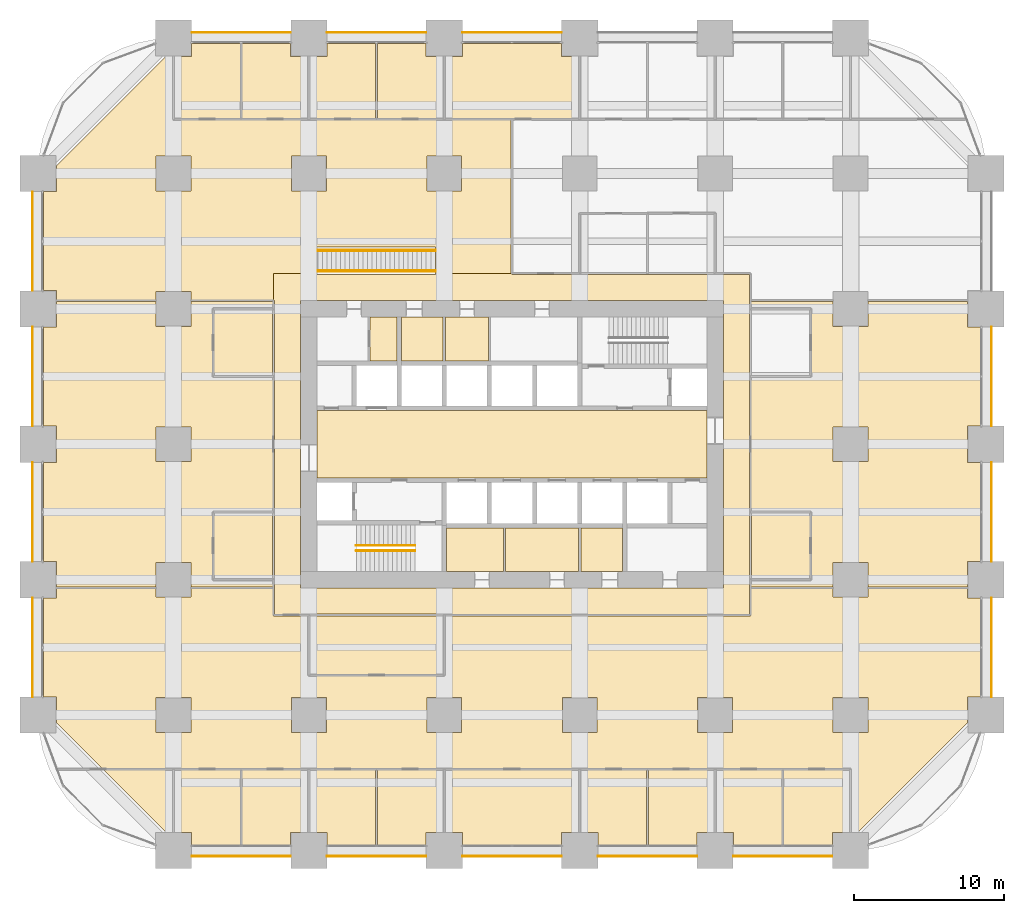
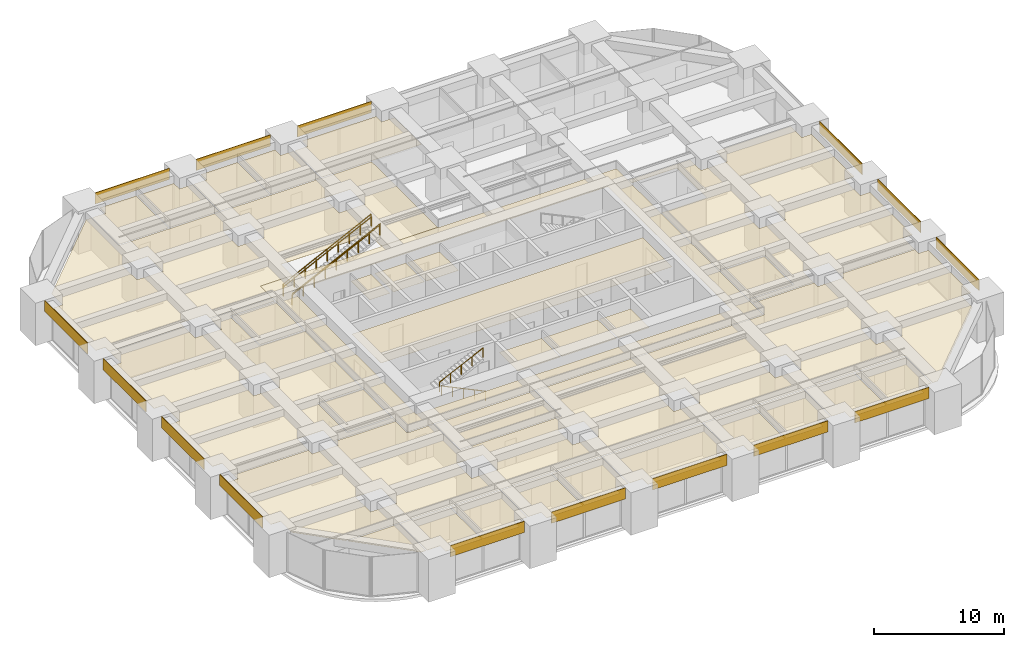
# One storey, part 44 of 45: 46 coverings, 6 railings.
"""IFC4 building model written with IfcOpenShell, lengths in metres."""

from ifc_helpers import new_model, si_unit, direction, frame, frame_2d, origin, origin_2d, place, context, subcontext, project, spatial, polyline, rectangle, circle, outline, extrude, material, layer, layer_set, type_object, element, save


model = new_model("IFC4")

# Units and contexts
model_context = context("Model", 3, precision=1e-05, world=origin(), true_north=direction((0.0, 1.0)))
body_context = subcontext(model_context, "Body", "Model", "MODEL_VIEW")
ifc_project = project(units=[si_unit("LENGTHUNIT", "METRE"), si_unit("AREAUNIT", "SQUARE_METRE"), si_unit("VOLUMEUNIT", "CUBIC_METRE"), si_unit("PLANEANGLEUNIT", "RADIAN"), si_unit("MASSUNIT", "GRAM", prefix="KILO")], contexts=[model_context])

# Site, building, storey
site_placement = place(None, origin())
site = spatial("IfcSite", under=ifc_project, at=site_placement, CompositionType="ELEMENT")
building_placement = place(site_placement, origin())
building = spatial("IfcBuilding", under=site, at=building_placement, Name="Zorevar Civic Tower", CompositionType="ELEMENT")
storey_placement = place(building_placement, frame((0.0, 0.0, 39.800048828125)))
storey = spatial("IfcBuildingStorey", under=building, at=storey_placement, Name="L09", CompositionType="ELEMENT", Elevation=39.800048828125)

# Railings
ifc_material_1 = material(Name="Laminated glass balustrade with black steel handrail", Category="steel")
railing_type_1 = type_object("IfcRailingType", Name="Balustrade BL1 1100", PredefinedType="BALUSTRADE", material=ifc_material_1)
for number, where, name in (
    (1, (18.60009765625, 38.47998046875, 0.148193359375), "Balustrade BL1 interconnecting stair L09"),
    (2, (18.60009765625, 39.919921875, 0.148193359375), "Balustrade BL1 interconnecting stair L09"),
):
    element("IfcRailing", number, at=place(storey_placement, frame(where)), inside=storey, type_object=railing_type_1, Name=name, PredefinedType="BALUSTRADE", context=body_context, shape_type="SweptSolid", body=[
        extrude(circle(Radius=0.02392578125, at=origin_2d()), frame((0.0, 0.0, 1.076171875), z_axis=(0.896627794226, 0.0, 0.442785047875), x_axis=(0.0, 1.0, 0.0)), (0.0, 0.0, 1.0), 8.698974609375),
        extrude(circle(Radius=0.02099609375, at=origin_2d()), origin(), (0.0, 0.0, 1.0), 1.052001953125),
        extrude(circle(Radius=0.02099609375, at=origin_2d()), frame((0.97509765625, 0.0, 0.4814453125)), (0.0, 0.0, 1.0), 1.052001953125),
        extrude(circle(Radius=0.02099609375, at=origin_2d()), frame((1.949951171875, 0.0, 0.962890625)), (0.0, 0.0, 1.0), 1.052001953125),
        extrude(circle(Radius=0.02099609375, at=origin_2d()), frame((2.9248046875, 0.0, 1.4443359375)), (0.0, 0.0, 1.0), 1.052001953125),
        extrude(circle(Radius=0.02099609375, at=origin_2d()), frame((3.89990234375, 0.0, 1.92578125)), (0.0, 0.0, 1.0), 1.052001953125),
        extrude(circle(Radius=0.02099609375, at=origin_2d()), frame((4.875, 0.0, 2.407470703125)), (0.0, 0.0, 1.0), 1.052001953125),
        extrude(circle(Radius=0.02099609375, at=origin_2d()), frame((5.849853515625, 0.0, 2.888916015625)), (0.0, 0.0, 1.0), 1.052001953125),
        extrude(circle(Radius=0.02099609375, at=origin_2d()), frame((6.82470703125, 0.0, 3.370361328125)), (0.0, 0.0, 1.0), 1.052001953125),
        extrude(circle(Radius=0.02099609375, at=origin_2d()), frame((7.7998046875, 0.0, 3.851806640625)), (0.0, 0.0, 1.0), 1.052001953125),
    ])
ifc_material_2 = material(Name="Black steel handrail", Category="steel")
railing_type_2 = type_object("IfcRailingType", Name="Handrail HR1 900", PredefinedType="HANDRAIL", material=ifc_material_2)
railing_1_placement = place(storey_placement, frame((25.050048828125, 19.925048828125, 0.142822265625)))
element("IfcRailing", 3, at=railing_1_placement, inside=storey, type_object=railing_type_2, Name="Handrail HR1 ST1 L09", PredefinedType="HANDRAIL", context=body_context, shape_type="SweptSolid", body=[
    extrude(circle(Radius=0.02392578125, at=origin_2d()), frame((0.0, 0.0, 0.8759765625), z_axis=(-0.902863652845, 0.0, 0.429926998885), x_axis=(0.0, -1.0, 0.0)), (0.0, 0.0, 1.0), 4.31982421875),
    extrude(circle(Radius=0.02099609375, at=origin_2d()), origin(), (0.0, 0.0, 1.0), 0.851806640625),
    extrude(circle(Radius=0.02099609375, at=origin_2d()), frame((-0.97509765625, 0.0, 0.46435546875)), (0.0, 0.0, 1.0), 0.851806640625),
    extrude(circle(Radius=0.02099609375, at=origin_2d()), frame((-1.9501953125, 0.0, 0.9287109375)), (0.0, 0.0, 1.0), 0.851806640625),
    extrude(circle(Radius=0.02099609375, at=origin_2d()), frame((-2.925048828125, 0.0, 1.392822265625)), (0.0, 0.0, 1.0), 0.851806640625),
    extrude(circle(Radius=0.02099609375, at=origin_2d()), frame((-3.900146484375, 0.0, 1.857177734375)), (0.0, 0.0, 1.0), 0.851806640625),
])
railing_2_placement = place(storey_placement, frame((21.14990234375, 20.27490234375, 2.142822265625)))
element("IfcRailing", 4, at=railing_2_placement, inside=storey, type_object=railing_type_2, Name="Handrail HR1 ST1 L09", PredefinedType="HANDRAIL", context=body_context, shape_type="SweptSolid", body=[
    extrude(circle(Radius=0.02392578125, at=origin_2d()), frame((0.0, 0.0, 0.8759765625), z_axis=(0.902863652845, 0.0, 0.429926998885), x_axis=(0.0, 1.0, 0.0)), (0.0, 0.0, 1.0), 4.31982421875),
    extrude(circle(Radius=0.02099609375, at=origin_2d()), origin(), (0.0, 0.0, 1.0), 0.851806640625),
    extrude(circle(Radius=0.02099609375, at=origin_2d()), frame((0.97509765625, 0.0, 0.46435546875)), (0.0, 0.0, 1.0), 0.851806640625),
    extrude(circle(Radius=0.02099609375, at=origin_2d()), frame((1.9501953125, 0.0, 0.9287109375)), (0.0, 0.0, 1.0), 0.851806640625),
    extrude(circle(Radius=0.02099609375, at=origin_2d()), frame((2.925048828125, 0.0, 1.392822265625)), (0.0, 0.0, 1.0), 0.851806640625),
    extrude(circle(Radius=0.02099609375, at=origin_2d()), frame((3.900146484375, 0.0, 1.857177734375)), (0.0, 0.0, 1.0), 0.851806640625),
])
for number, where, name in (
    (5, (18.60009765625, 38.550048828125, 0.148193359375), "Handrail HR1 interconnecting stair L09"),
    (6, (18.60009765625, 39.85009765625, 0.148193359375), "Handrail HR1 interconnecting stair L09"),
):
    element("IfcRailing", number, at=place(storey_placement, frame(where)), inside=storey, type_object=railing_type_2, Name=name, PredefinedType="HANDRAIL", context=body_context, shape_type="SweptSolid", body=[
        extrude(circle(Radius=0.02392578125, at=origin_2d()), frame((0.0, 0.0, 0.8759765625), z_axis=(0.896627794226, 0.0, 0.442785047875), x_axis=(0.0, 1.0, 0.0)), (0.0, 0.0, 1.0), 8.698974609375),
        extrude(circle(Radius=0.02099609375, at=origin_2d()), origin(), (0.0, 0.0, 1.0), 0.851806640625),
        extrude(circle(Radius=0.02099609375, at=origin_2d()), frame((0.97509765625, 0.0, 0.4814453125)), (0.0, 0.0, 1.0), 0.851806640625),
        extrude(circle(Radius=0.02099609375, at=origin_2d()), frame((1.949951171875, 0.0, 0.962890625)), (0.0, 0.0, 1.0), 0.851806640625),
        extrude(circle(Radius=0.02099609375, at=origin_2d()), frame((2.9248046875, 0.0, 1.4443359375)), (0.0, 0.0, 1.0), 0.851806640625),
        extrude(circle(Radius=0.02099609375, at=origin_2d()), frame((3.89990234375, 0.0, 1.92578125)), (0.0, 0.0, 1.0), 0.851806640625),
        extrude(circle(Radius=0.02099609375, at=origin_2d()), frame((4.875, 0.0, 2.407470703125)), (0.0, 0.0, 1.0), 0.851806640625),
        extrude(circle(Radius=0.02099609375, at=origin_2d()), frame((5.849853515625, 0.0, 2.888916015625)), (0.0, 0.0, 1.0), 0.851806640625),
        extrude(circle(Radius=0.02099609375, at=origin_2d()), frame((6.82470703125, 0.0, 3.370361328125)), (0.0, 0.0, 1.0), 0.851806640625),
        extrude(circle(Radius=0.02099609375, at=origin_2d()), frame((7.7998046875, 0.0, 3.851806640625)), (0.0, 0.0, 1.0), 0.851806640625),
    ])

# Coverings
ifc_material_3 = material(Name="Moisture-resistant gypsum board")
ifc_layer_1 = layer(ifc_material_3, 0.012451171875)
ifc_layer_set_1 = layer_set([ifc_layer_1], Name="Moisture-resistant ceiling SC3")
covering_type_1 = type_object("IfcCoveringType", Name="Moisture-resistant ceiling SC3", PredefinedType="CEILING", material=ifc_layer_set_1)
covering_1_placement = place(storey_placement, frame((0.0, 0.0, 3.0)))
element("IfcCovering", 7, at=covering_1_placement, inside=storey, type_object=covering_type_1, Name="Ceiling L09-05", PredefinedType="CEILING", context=body_context, shape_type="SweptSolid", body=[
    extrude(outline(polyline([(30.925048828125, 18.550048828125), (30.925048828125, 21.449951171875), (27.14990234375, 21.449951171875), (27.14990234375, 18.550048828125), (30.925048828125, 18.550048828125)])), origin(), (0.0, 0.0, 1.0), 0.012451171875),
])
covering_2_placement = place(storey_placement, frame((0.0, 0.0, 3.0)))
element("IfcCovering", 8, at=covering_2_placement, inside=storey, type_object=covering_type_1, Name="Ceiling L09-06", PredefinedType="CEILING", context=body_context, shape_type="SweptSolid", body=[
    extrude(outline(polyline([(35.925048828125, 18.550048828125), (35.925048828125, 21.449951171875), (31.074951171875, 21.449951171875), (31.074951171875, 18.550048828125), (35.925048828125, 18.550048828125)])), origin(), (0.0, 0.0, 1.0), 0.012451171875),
])
covering_3_placement = place(storey_placement, frame((0.0, 0.0, 3.0)))
element("IfcCovering", 9, at=covering_3_placement, inside=storey, type_object=covering_type_1, Name="Ceiling L09-07", PredefinedType="CEILING", context=body_context, shape_type="SweptSolid", body=[
    extrude(outline(polyline([(38.85009765625, 18.550048828125), (38.85009765625, 21.449951171875), (36.074951171875, 21.449951171875), (36.074951171875, 18.550048828125), (38.85009765625, 18.550048828125)])), origin(), (0.0, 0.0, 1.0), 0.012451171875),
])
covering_4_placement = place(storey_placement, frame((0.0, 0.0, 3.0)))
element("IfcCovering", 10, at=covering_4_placement, inside=storey, type_object=covering_type_1, Name="Ceiling L09-10", PredefinedType="CEILING", context=body_context, shape_type="SweptSolid", body=[
    extrude(outline(polyline([(26.925048828125, 32.550048828125), (26.925048828125, 35.449951171875), (24.14990234375, 35.449951171875), (24.14990234375, 32.550048828125), (26.925048828125, 32.550048828125)])), origin(), (0.0, 0.0, 1.0), 0.012451171875),
])
ifc_material_4 = material(Name="Black anodised aluminium spandrel panel", Category="aluminium")
ifc_layer_2 = layer(ifc_material_4, 0.050048828125)
ifc_layer_set_2 = layer_set([ifc_layer_2], Name="Spandrel cladding SP1")
covering_type_2 = type_object("IfcCoveringType", Name="Spandrel cladding SP1", PredefinedType="CLADDING", material=ifc_layer_set_2)
for number, where, z_axis, x_axis, name in (
    (11, (10.199951171875, -0.375, 2.949951171875), (0.0, 0.0, 1.0), (1.0, 0.0, 0.0), "Spandrel cladding L10"),
    (12, (19.199951171875, -0.375, 2.949951171875), (0.0, 0.0, 1.0), (1.0, 0.0, 0.0), "Spandrel cladding L10"),
    (13, (28.199951171875, -0.375, 2.949951171875), (0.0, 0.0, 1.0), (1.0, 0.0, 0.0), "Spandrel cladding L10"),
    (14, (37.199951171875, -0.375, 2.949951171875), (0.0, 0.0, 1.0), (1.0, 0.0, 0.0), "Spandrel cladding L10"),
    (15, (46.199951171875, -0.375, 2.949951171875), (0.0, 0.0, 1.0), (1.0, 0.0, 0.0), "Spandrel cladding L10"),
    (16, (10.199951171875, 54.375, 2.949951171875), (0.0, 0.0, 1.0), (1.0, 0.0, 0.0), "Spandrel cladding L10"),
    (17, (19.199951171875, 54.375, 2.949951171875), (0.0, 0.0, 1.0), (1.0, 0.0, 0.0), "Spandrel cladding L10"),
    (18, (28.199951171875, 54.375, 2.949951171875), (0.0, 0.0, 1.0), (1.0, 0.0, 0.0), "Spandrel cladding L10"),
    (19, (-0.375, 10.199951171875, 2.949951171875), (0.0, 0.0, 1.0), (0.0, 1.0, 0.0), "Spandrel cladding L10"),
    (20, (-0.375, 19.199951171875, 2.949951171875), (0.0, 0.0, 1.0), (0.0, 1.0, 0.0), "Spandrel cladding L10"),
    (21, (-0.375, 28.199951171875, 2.949951171875), (0.0, 0.0, 1.0), (0.0, 1.0, 0.0), "Spandrel cladding L10"),
    (22, (-0.375, 37.199951171875, 2.949951171875), (0.0, 0.0, 1.0), (0.0, 1.0, 0.0), "Spandrel cladding L10"),
    (23, (63.375, 10.199951171875, 2.949951171875), (0.0, 0.0, 1.0), (0.0, 1.0, 0.0), "Spandrel cladding L10"),
    (24, (63.375, 19.199951171875, 2.949951171875), (0.0, 0.0, 1.0), (0.0, 1.0, 0.0), "Spandrel cladding L10"),
    (25, (63.375, 28.199951171875, 2.949951171875), (0.0, 0.0, 1.0), (0.0, 1.0, 0.0), "Spandrel cladding L10"),
):
    element("IfcCovering", number, at=place(storey_placement, frame(where, z_axis=z_axis, x_axis=x_axis)), inside=storey, type_object=covering_type_2, Name=name, PredefinedType="CLADDING", context=body_context, shape_type="SweptSolid", body=[
        extrude(rectangle(XDim=6.60009765625, YDim=0.050048828125, at=frame_2d((3.300048828125, 0.0))), origin(), (0.0, 0.0, 1.0), 1.050048828125),
    ])
ifc_material_5 = material(Name="Mineral fibre tiles on a concealed grid")
ifc_layer_3 = layer(ifc_material_5, 0.02001953125)
ifc_layer_set_3 = layer_set([ifc_layer_3], Name="Suspended ceiling SC1")
covering_type_3 = type_object("IfcCoveringType", Name="Suspended ceiling SC1", PredefinedType="CEILING", material=ifc_layer_set_3)
covering_5_placement = place(storey_placement, frame((0.0, 0.0, 3.0)))
element("IfcCovering", 26, at=covering_5_placement, inside=storey, type_object=covering_type_3, Name="Ceiling L09-09", PredefinedType="CEILING", context=body_context, shape_type="SweptSolid", body=[
    extrude(outline(polyline([(29.93994140625, 32.550048828125), (29.93994140625, 35.449951171875), (27.074951171875, 35.449951171875), (27.074951171875, 32.550048828125), (29.93994140625, 32.550048828125)])), origin(), (0.0, 0.0, 1.0), 0.02001953125),
])
covering_6_placement = place(storey_placement, frame((0.0, 0.0, 3.0)))
element("IfcCovering", 27, at=covering_6_placement, inside=storey, type_object=covering_type_3, Name="Ceiling L09-12", PredefinedType="CEILING", context=body_context, shape_type="SweptSolid", body=[
    extrude(outline(polyline([(23.85009765625, 32.550048828125), (23.85009765625, 35.449951171875), (22.06005859375, 35.449951171875), (22.06005859375, 32.550048828125), (23.85009765625, 32.550048828125)])), origin(), (0.0, 0.0, 1.0), 0.02001953125),
])
covering_7_placement = place(storey_placement, frame((0.0, 0.0, 3.0)))
element("IfcCovering", 28, at=covering_7_placement, inside=storey, type_object=covering_type_3, Name="Ceiling L09-16", PredefinedType="CEILING", context=body_context, shape_type="SweptSolid", body=[
    extrude(outline(polyline([(44.449951171875, 24.75), (44.449951171875, 29.25), (18.550048828125, 29.25), (18.550048828125, 24.75), (44.449951171875, 24.75)])), origin(), (0.0, 0.0, 1.0), 0.02001953125),
])
covering_8_placement = place(storey_placement, frame((0.0, 0.0, 3.0)))
element("IfcCovering", 29, at=covering_8_placement, inside=storey, type_object=covering_type_3, Name="Ceiling L09-17", PredefinedType="CEILING", context=body_context, shape_type="SweptSolid", body=[
    extrude(outline(polyline([(13.43994140625, 5.340087890625), (13.43994140625, 0.35009765625), (10.2099609375, 0.35009765625), (10.2099609375, 1.2099609375), (9.06005859375, 1.2099609375), (9.06005859375, 5.340087890625), (13.43994140625, 5.340087890625)])), origin(), (0.0, 0.0, 1.0), 0.02001953125),
])
covering_9_placement = place(storey_placement, frame((0.0, 0.0, 3.0)))
element("IfcCovering", 30, at=covering_9_placement, inside=storey, type_object=covering_type_3, Name="Ceiling L09-18", PredefinedType="CEILING", context=body_context, shape_type="SweptSolid", body=[
    extrude(outline(polyline([(17.93994140625, 5.340087890625), (17.93994140625, 1.2099609375), (16.7900390625, 1.2099609375), (16.7900390625, 0.35009765625), (13.56005859375, 0.35009765625), (13.56005859375, 5.340087890625), (17.93994140625, 5.340087890625)])), origin(), (0.0, 0.0, 1.0), 0.02001953125),
])
covering_10_placement = place(storey_placement, frame((0.0, 0.0, 3.0)))
element("IfcCovering", 31, at=covering_10_placement, inside=storey, type_object=covering_type_3, Name="Ceiling L09-19", PredefinedType="CEILING", context=body_context, shape_type="SweptSolid", body=[
    extrude(outline(polyline([(22.43994140625, 5.340087890625), (22.43994140625, 0.35009765625), (19.2099609375, 0.35009765625), (19.2099609375, 1.2099609375), (18.06005859375, 1.2099609375), (18.06005859375, 5.340087890625), (22.43994140625, 5.340087890625)])), origin(), (0.0, 0.0, 1.0), 0.02001953125),
])
covering_11_placement = place(storey_placement, frame((0.0, 0.0, 3.0)))
element("IfcCovering", 32, at=covering_11_placement, inside=storey, type_object=covering_type_3, Name="Ceiling L09-20", PredefinedType="CEILING", context=body_context, shape_type="SweptSolid", body=[
    extrude(outline(polyline([(26.93994140625, 5.340087890625), (26.93994140625, 1.2099609375), (25.7900390625, 1.2099609375), (25.7900390625, 0.35009765625), (22.56005859375, 0.35009765625), (22.56005859375, 5.340087890625), (26.93994140625, 5.340087890625)])), origin(), (0.0, 0.0, 1.0), 0.02001953125),
])
covering_12_placement = place(storey_placement, frame((0.0, 0.0, 3.0)))
element("IfcCovering", 33, at=covering_12_placement, inside=storey, type_object=covering_type_3, Name="Ceiling L09-21", PredefinedType="CEILING", context=body_context, shape_type="SweptSolid", body=[
    extrude(outline(polyline([(28.2099609375, 0.35009765625), (28.2099609375, 1.2099609375), (27.06005859375, 1.2099609375), (27.06005859375, 5.340087890625), (35.93994140625, 5.340087890625), (35.93994140625, 1.2099609375), (34.7900390625, 1.2099609375), (34.7900390625, 0.35009765625), (28.2099609375, 0.35009765625)])), origin(), (0.0, 0.0, 1.0), 0.02001953125),
])
covering_13_placement = place(storey_placement, frame((0.0, 0.0, 3.0)))
element("IfcCovering", 34, at=covering_13_placement, inside=storey, type_object=covering_type_3, Name="Ceiling L09-22", PredefinedType="CEILING", context=body_context, shape_type="SweptSolid", body=[
    extrude(outline(polyline([(40.43994140625, 5.340087890625), (40.43994140625, 0.35009765625), (37.2099609375, 0.35009765625), (37.2099609375, 1.2099609375), (36.06005859375, 1.2099609375), (36.06005859375, 5.340087890625), (40.43994140625, 5.340087890625)])), origin(), (0.0, 0.0, 1.0), 0.02001953125),
])
covering_14_placement = place(storey_placement, frame((0.0, 0.0, 3.0)))
element("IfcCovering", 35, at=covering_14_placement, inside=storey, type_object=covering_type_3, Name="Ceiling L09-23", PredefinedType="CEILING", context=body_context, shape_type="SweptSolid", body=[
    extrude(outline(polyline([(44.93994140625, 5.340087890625), (44.93994140625, 1.2099609375), (43.7900390625, 1.2099609375), (43.7900390625, 0.35009765625), (40.56005859375, 0.35009765625), (40.56005859375, 5.340087890625), (44.93994140625, 5.340087890625)])), origin(), (0.0, 0.0, 1.0), 0.02001953125),
])
covering_15_placement = place(storey_placement, frame((0.0, 0.0, 3.0)))
element("IfcCovering", 36, at=covering_15_placement, inside=storey, type_object=covering_type_3, Name="Ceiling L09-24", PredefinedType="CEILING", context=body_context, shape_type="SweptSolid", body=[
    extrude(outline(polyline([(49.43994140625, 5.340087890625), (49.43994140625, 0.35009765625), (46.2099609375, 0.35009765625), (46.2099609375, 1.2099609375), (45.06005859375, 1.2099609375), (45.06005859375, 5.340087890625), (49.43994140625, 5.340087890625)])), origin(), (0.0, 0.0, 1.0), 0.02001953125),
])
covering_16_placement = place(storey_placement, frame((0.0, 0.0, 3.0)))
element("IfcCovering", 37, at=covering_16_placement, inside=storey, type_object=covering_type_3, Name="Ceiling L09-25", PredefinedType="CEILING", context=body_context, shape_type="SweptSolid", body=[
    extrude(outline(polyline([(53.93994140625, 5.340087890625), (53.93994140625, 1.2099609375), (52.7900390625, 1.2099609375), (52.7900390625, 0.35009765625), (49.56005859375, 0.35009765625), (49.56005859375, 5.340087890625), (53.93994140625, 5.340087890625)])), origin(), (0.0, 0.0, 1.0), 0.02001953125),
])
covering_17_placement = place(storey_placement, frame((0.0, 0.0, 3.0)))
element("IfcCovering", 38, at=covering_17_placement, inside=storey, type_object=covering_type_3, Name="Ceiling L09-26", PredefinedType="CEILING", context=body_context, shape_type="SweptSolid", body=[
    extrude(outline(polyline([(9.06005859375, 48.659912109375), (9.06005859375, 52.7900390625), (10.2099609375, 52.7900390625), (10.2099609375, 53.64990234375), (13.43994140625, 53.64990234375), (13.43994140625, 48.659912109375), (9.06005859375, 48.659912109375)])), origin(), (0.0, 0.0, 1.0), 0.02001953125),
])
covering_18_placement = place(storey_placement, frame((0.0, 0.0, 3.0)))
element("IfcCovering", 39, at=covering_18_placement, inside=storey, type_object=covering_type_3, Name="Ceiling L09-27", PredefinedType="CEILING", context=body_context, shape_type="SweptSolid", body=[
    extrude(outline(polyline([(13.56005859375, 48.659912109375), (13.56005859375, 53.64990234375), (16.7900390625, 53.64990234375), (16.7900390625, 52.7900390625), (17.93994140625, 52.7900390625), (17.93994140625, 48.659912109375), (13.56005859375, 48.659912109375)])), origin(), (0.0, 0.0, 1.0), 0.02001953125),
])
covering_19_placement = place(storey_placement, frame((0.0, 0.0, 3.0)))
element("IfcCovering", 40, at=covering_19_placement, inside=storey, type_object=covering_type_3, Name="Ceiling L09-28", PredefinedType="CEILING", context=body_context, shape_type="SweptSolid", body=[
    extrude(outline(polyline([(18.06005859375, 48.659912109375), (18.06005859375, 52.7900390625), (19.2099609375, 52.7900390625), (19.2099609375, 53.64990234375), (22.43994140625, 53.64990234375), (22.43994140625, 48.659912109375), (18.06005859375, 48.659912109375)])), origin(), (0.0, 0.0, 1.0), 0.02001953125),
])
covering_20_placement = place(storey_placement, frame((0.0, 0.0, 3.0)))
element("IfcCovering", 41, at=covering_20_placement, inside=storey, type_object=covering_type_3, Name="Ceiling L09-29", PredefinedType="CEILING", context=body_context, shape_type="SweptSolid", body=[
    extrude(outline(polyline([(22.56005859375, 48.659912109375), (22.56005859375, 53.64990234375), (25.7900390625, 53.64990234375), (25.7900390625, 52.7900390625), (26.93994140625, 52.7900390625), (26.93994140625, 48.659912109375), (22.56005859375, 48.659912109375)])), origin(), (0.0, 0.0, 1.0), 0.02001953125),
])
covering_21_placement = place(storey_placement, frame((0.0, 0.0, 3.0)))
element("IfcCovering", 42, at=covering_21_placement, inside=storey, type_object=covering_type_3, Name="Ceiling L09-30", PredefinedType="CEILING", context=body_context, shape_type="SweptSolid", body=[
    extrude(outline(polyline([(28.2099609375, 52.7900390625), (28.2099609375, 53.64990234375), (34.7900390625, 53.64990234375), (34.7900390625, 52.7900390625), (35.93994140625, 52.7900390625), (35.93994140625, 48.659912109375), (27.06005859375, 48.659912109375), (27.06005859375, 52.7900390625), (28.2099609375, 52.7900390625)])), origin(), (0.0, 0.0, 1.0), 0.02001953125),
])
covering_22_placement = place(storey_placement, frame((0.0, 0.0, 3.0)))
element("IfcCovering", 43, at=covering_22_placement, inside=storey, type_object=covering_type_3, Name="Ceiling L09-35", PredefinedType="CEILING", context=body_context, shape_type="SweptSolid", body=[
    extrude(outline(polyline([(18.06005859375, 11.699951171875), (18.06005859375, 15.590087890625), (26.93994140625, 15.590087890625), (26.93994140625, 11.699951171875), (18.06005859375, 11.699951171875)])), origin(), (0.0, 0.0, 1.0), 0.02001953125),
])
covering_23_placement = place(storey_placement, frame((0.0, 0.0, 3.0)))
element("IfcCovering", 44, at=covering_23_placement, inside=storey, type_object=covering_type_3, Name="Ceiling L09-38", PredefinedType="CEILING", context=body_context, shape_type="SweptSolid", body=[
    extrude(outline(polyline([(11.7099609375, 18.06005859375), (11.7099609375, 22.43994140625), (15.590087890625, 22.43994140625), (15.590087890625, 18.06005859375), (11.7099609375, 18.06005859375)])), origin(), (0.0, 0.0, 1.0), 0.02001953125),
])
covering_24_placement = place(storey_placement, frame((0.0, 0.0, 3.0)))
element("IfcCovering", 45, at=covering_24_placement, inside=storey, type_object=covering_type_3, Name="Ceiling L09-40", PredefinedType="CEILING", context=body_context, shape_type="SweptSolid", body=[
    extrude(outline(polyline([(11.7099609375, 31.56005859375), (11.7099609375, 35.93994140625), (15.590087890625, 35.93994140625), (15.590087890625, 31.56005859375), (11.7099609375, 31.56005859375)])), origin(), (0.0, 0.0, 1.0), 0.02001953125),
])
covering_25_placement = place(storey_placement, frame((0.0, 0.0, 3.0)))
element("IfcCovering", 46, at=covering_25_placement, inside=storey, type_object=covering_type_3, Name="Ceiling L09-41", PredefinedType="CEILING", context=body_context, shape_type="SweptSolid", body=[
    extrude(outline(polyline([(47.409912109375, 18.06005859375), (47.409912109375, 22.43994140625), (51.2900390625, 22.43994140625), (51.2900390625, 18.06005859375), (47.409912109375, 18.06005859375)])), origin(), (0.0, 0.0, 1.0), 0.02001953125),
])
covering_26_placement = place(storey_placement, frame((0.0, 0.0, 3.0)))
element("IfcCovering", 47, at=covering_26_placement, inside=storey, type_object=covering_type_3, Name="Ceiling L09-42", PredefinedType="CEILING", context=body_context, shape_type="SweptSolid", body=[
    extrude(outline(polyline([(8.93994140625, 5.340087890625), (8.93994140625, 1.2099609375), (8.4970703125, 1.2099609375), (4.3671875, 5.340087890625), (8.93994140625, 5.340087890625)])), origin(), (0.0, 0.0, 1.0), 0.02001953125),
])
covering_27_placement = place(storey_placement, frame((0.0, 0.0, 3.0)))
element("IfcCovering", 48, at=covering_27_placement, inside=storey, type_object=covering_type_3, Name="Ceiling L09-44", PredefinedType="CEILING", context=body_context, shape_type="SweptSolid", body=[
    extrude(outline(polyline([(31.5, 38.300048828125), (36.0, 38.300048828125), (36.0, 38.2900390625), (45.0, 38.2900390625), (45.0, 38.300048828125), (47.300048828125, 38.300048828125), (47.300048828125, 36.0), (47.2900390625, 36.0), (47.2900390625, 31.5), (47.300048828125, 31.5), (47.300048828125, 22.5), (47.2900390625, 22.5), (47.2900390625, 18.0), (47.300048828125, 18.0), (47.300048828125, 15.699951171875), (27.0, 15.699951171875), (27.0, 15.7099609375), (18.0, 15.7099609375), (18.0, 15.699951171875), (15.699951171875, 15.699951171875), (15.699951171875, 18.0), (15.7099609375, 18.0), (15.7099609375, 22.5), (15.699951171875, 22.5), (15.699951171875, 31.5), (15.7099609375, 31.5), (15.7099609375, 36.0), (15.699951171875, 36.0), (15.699951171875, 36.550048828125), (15.64990234375, 36.550048828125), (15.64990234375, 38.35009765625), (18.5, 38.35009765625), (18.5, 38.300048828125), (26.39990234375, 38.300048828125), (26.39990234375, 38.35009765625), (31.5, 38.35009765625), (31.5, 38.300048828125)]), holes=[polyline([(17.449951171875, 36.550048828125), (17.449951171875, 17.449951171875), (45.550048828125, 17.449951171875), (45.550048828125, 36.550048828125), (17.449951171875, 36.550048828125)])]), origin(), (0.0, 0.0, 1.0), 0.02001953125),
])
covering_28_placement = place(storey_placement, frame((0.0, 0.0, 3.0)))
element("IfcCovering", 49, at=covering_28_placement, inside=storey, type_object=covering_type_3, Name="Ceiling L09-45", PredefinedType="CEILING", context=body_context, shape_type="SweptSolid", body=[
    extrude(outline(polyline([(51.409912109375, 31.5), (51.409912109375, 36.0), (51.35009765625, 36.0), (51.35009765625, 36.06005859375), (47.39990234375, 36.06005859375), (47.39990234375, 36.5), (52.840087890625, 36.5), (52.840087890625, 34.840087890625), (55.159912109375, 34.840087890625), (55.159912109375, 36.5), (61.7900390625, 36.5), (61.7900390625, 34.7900390625), (62.64990234375, 34.7900390625), (62.64990234375, 28.2099609375), (61.7900390625, 28.2099609375), (61.7900390625, 25.7900390625), (62.64990234375, 25.7900390625), (62.64990234375, 19.2099609375), (61.7900390625, 19.2099609375), (61.7900390625, 17.5), (55.159912109375, 17.5), (55.159912109375, 19.159912109375), (52.840087890625, 19.159912109375), (52.840087890625, 17.5), (47.39990234375, 17.5), (47.39990234375, 17.93994140625), (51.35009765625, 17.93994140625), (51.35009765625, 18.0), (51.409912109375, 18.0), (51.409912109375, 22.5), (51.35009765625, 22.5), (51.35009765625, 22.56005859375), (47.39990234375, 22.56005859375), (47.39990234375, 31.43994140625), (51.35009765625, 31.43994140625), (51.35009765625, 31.5), (51.409912109375, 31.5)]), holes=[polyline([(55.159912109375, 28.159912109375), (52.840087890625, 28.159912109375), (52.840087890625, 25.840087890625), (55.159912109375, 25.840087890625), (55.159912109375, 28.159912109375)])]), origin(), (0.0, 0.0, 1.0), 0.02001953125),
])
covering_29_placement = place(storey_placement, frame((0.0, 0.0, 3.0)))
element("IfcCovering", 50, at=covering_29_placement, inside=storey, type_object=covering_type_3, Name="Ceiling L09-46", PredefinedType="CEILING", context=body_context, shape_type="SweptSolid", body=[
    extrude(outline(polyline([(31.449951171875, 38.35009765625), (26.39990234375, 38.35009765625), (26.39990234375, 40.10009765625), (18.5, 40.10009765625), (18.5, 38.35009765625), (15.64990234375, 38.35009765625), (15.64990234375, 36.60009765625), (10.159912109375, 36.60009765625), (10.159912109375, 37.159912109375), (7.840087890625, 37.159912109375), (7.840087890625, 36.60009765625), (1.2099609375, 36.60009765625), (1.2099609375, 37.2099609375), (0.35009765625, 37.2099609375), (0.35009765625, 43.7900390625), (1.2099609375, 43.7900390625), (1.2099609375, 45.5029296875), (8.4970703125, 52.7900390625), (8.93994140625, 52.7900390625), (8.93994140625, 48.60009765625), (9.0, 48.60009765625), (9.0, 48.5400390625), (31.449951171875, 48.5400390625), (31.449951171875, 38.35009765625)]), holes=[polyline([(7.840087890625, 46.159912109375), (7.840087890625, 43.840087890625), (10.159912109375, 43.840087890625), (10.159912109375, 46.159912109375), (7.840087890625, 46.159912109375)]), polyline([(19.159912109375, 43.840087890625), (19.159912109375, 46.159912109375), (16.840087890625, 46.159912109375), (16.840087890625, 43.840087890625), (19.159912109375, 43.840087890625)]), polyline([(25.840087890625, 43.840087890625), (28.159912109375, 43.840087890625), (28.159912109375, 46.159912109375), (25.840087890625, 46.159912109375), (25.840087890625, 43.840087890625)])]), origin(), (0.0, 0.0, 1.0), 0.02001953125),
])
covering_30_placement = place(storey_placement, frame((0.0, 0.0, 3.0)))
element("IfcCovering", 51, at=covering_30_placement, inside=storey, type_object=covering_type_3, Name="Ceiling L09-48", PredefinedType="CEILING", context=body_context, shape_type="SweptSolid", body=[
    extrude(outline(polyline([(52.840087890625, 17.39990234375), (52.840087890625, 16.840087890625), (55.159912109375, 16.840087890625), (55.159912109375, 17.39990234375), (61.7900390625, 17.39990234375), (61.7900390625, 16.7900390625), (62.64990234375, 16.7900390625), (62.64990234375, 10.2099609375), (61.7900390625, 10.2099609375), (61.7900390625, 8.4970703125), (54.5029296875, 1.2099609375), (54.06005859375, 1.2099609375), (54.06005859375, 5.39990234375), (54.0, 5.39990234375), (54.0, 5.4599609375), (4.2470703125, 5.4599609375), (1.2099609375, 8.4970703125), (1.2099609375, 10.2099609375), (0.35009765625, 10.2099609375), (0.35009765625, 16.7900390625), (1.2099609375, 16.7900390625), (1.2099609375, 17.39990234375), (7.840087890625, 17.39990234375), (7.840087890625, 16.840087890625), (10.159912109375, 16.840087890625), (10.159912109375, 17.39990234375), (15.60009765625, 17.39990234375), (15.60009765625, 15.64990234375), (15.64990234375, 15.64990234375), (15.64990234375, 15.60009765625), (17.93994140625, 15.60009765625), (17.93994140625, 11.64990234375), (18.0, 11.64990234375), (18.0, 11.60009765625), (27.0, 11.60009765625), (27.0, 11.64990234375), (27.06005859375, 11.64990234375), (27.06005859375, 15.60009765625), (47.35009765625, 15.60009765625), (47.35009765625, 15.64990234375), (47.39990234375, 15.64990234375), (47.39990234375, 17.39990234375), (52.840087890625, 17.39990234375)]), holes=[polyline([(10.159912109375, 10.159912109375), (7.840087890625, 10.159912109375), (7.840087890625, 7.840087890625), (10.159912109375, 7.840087890625), (10.159912109375, 10.159912109375)]), polyline([(16.840087890625, 7.840087890625), (19.159912109375, 7.840087890625), (19.159912109375, 10.159912109375), (16.840087890625, 10.159912109375), (16.840087890625, 7.840087890625)]), polyline([(25.840087890625, 10.159912109375), (25.840087890625, 7.840087890625), (28.159912109375, 7.840087890625), (28.159912109375, 10.159912109375), (25.840087890625, 10.159912109375)]), polyline([(37.159912109375, 10.159912109375), (34.840087890625, 10.159912109375), (34.840087890625, 7.840087890625), (37.159912109375, 7.840087890625), (37.159912109375, 10.159912109375)]), polyline([(46.159912109375, 7.840087890625), (46.159912109375, 10.159912109375), (43.840087890625, 10.159912109375), (43.840087890625, 7.840087890625), (46.159912109375, 7.840087890625)]), polyline([(52.840087890625, 10.159912109375), (52.840087890625, 7.840087890625), (55.159912109375, 7.840087890625), (55.159912109375, 10.159912109375), (52.840087890625, 10.159912109375)])]), origin(), (0.0, 0.0, 1.0), 0.02001953125),
])
covering_31_placement = place(storey_placement, frame((0.0, 0.0, 3.0)))
element("IfcCovering", 52, at=covering_31_placement, inside=storey, type_object=covering_type_3, Name="Ceiling L09-49", PredefinedType="CEILING", context=body_context, shape_type="SweptSolid", body=[
    extrude(outline(polyline([(11.590087890625, 22.5), (11.590087890625, 18.0), (11.64990234375, 18.0), (11.64990234375, 17.93994140625), (15.60009765625, 17.93994140625), (15.60009765625, 17.5), (10.159912109375, 17.5), (10.159912109375, 19.159912109375), (7.840087890625, 19.159912109375), (7.840087890625, 17.5), (1.2099609375, 17.5), (1.2099609375, 19.2099609375), (0.35009765625, 19.2099609375), (0.35009765625, 25.7900390625), (1.2099609375, 25.7900390625), (1.2099609375, 28.2099609375), (0.35009765625, 28.2099609375), (0.35009765625, 34.7900390625), (1.2099609375, 34.7900390625), (1.2099609375, 36.5), (7.840087890625, 36.5), (7.840087890625, 34.840087890625), (10.159912109375, 34.840087890625), (10.159912109375, 36.5), (15.60009765625, 36.5), (15.60009765625, 36.06005859375), (11.64990234375, 36.06005859375), (11.64990234375, 36.0), (11.590087890625, 36.0), (11.590087890625, 31.5), (11.64990234375, 31.5), (11.64990234375, 31.43994140625), (15.60009765625, 31.43994140625), (15.60009765625, 22.56005859375), (11.64990234375, 22.56005859375), (11.64990234375, 22.5), (11.590087890625, 22.5)]), holes=[polyline([(7.840087890625, 28.159912109375), (7.840087890625, 25.840087890625), (10.159912109375, 25.840087890625), (10.159912109375, 28.159912109375), (7.840087890625, 28.159912109375)])]), origin(), (0.0, 0.0, 1.0), 0.02001953125),
])

save(model, "model.ifc")
